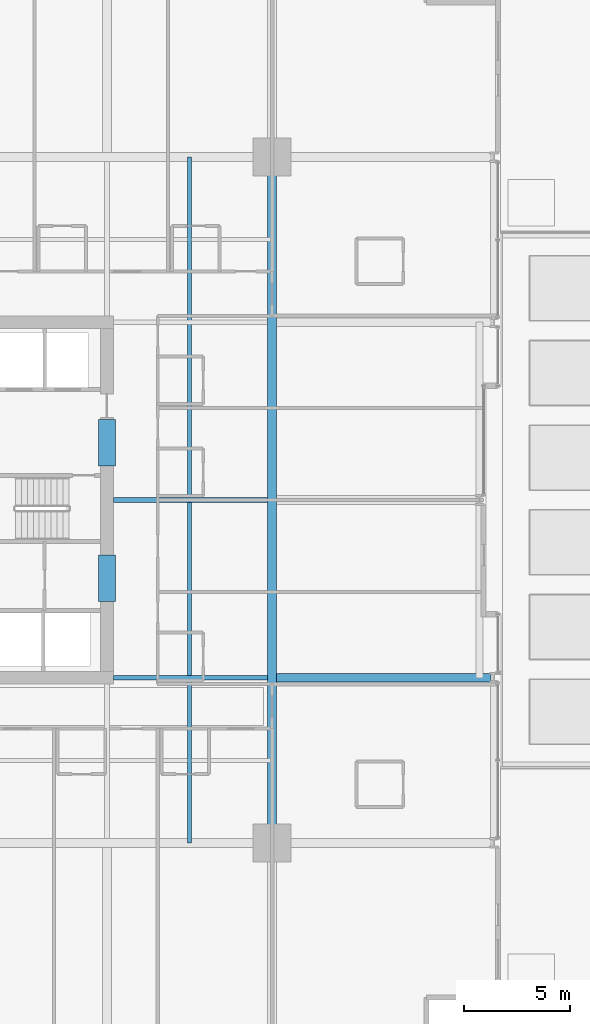
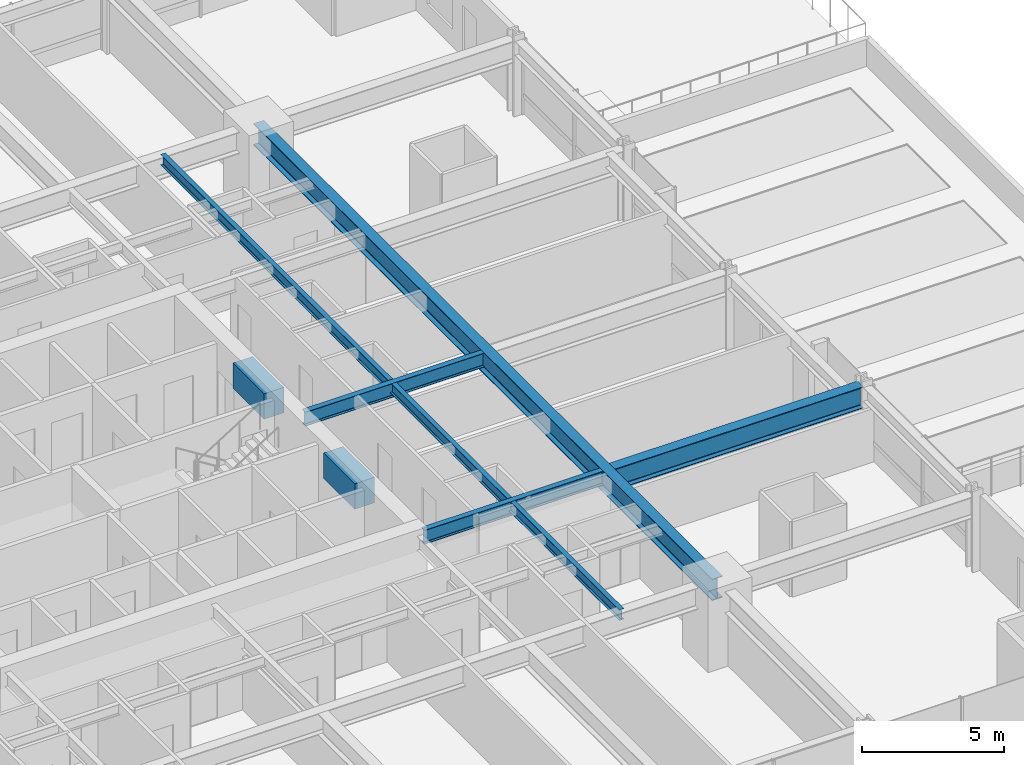
# One storey, part 15 of 42: 7 beams.
"""IFC4 building model written with IfcOpenShell, lengths in metres."""

import ifcopenshell
import ifcopenshell.guid

model = None  # the IFC model being written
_history = None  # IfcOwnerHistory: only IFC2X3 demands one
_inside = {}  # id of a spatial element -> (the spatial element, [elements in it])
_under = {}  # id of a project, library or spatial element -> (it, [spatial elements below it])
_declared = {}  # id of a project -> (the project, [libraries it declares])
_typed = {}  # id of a type object -> (the type object, [elements of that type])
_made_of = {}  # id of a material, layer set ... -> (it, [elements and type objects made of it])


def new_model(schema):
    """Start an empty IFC model of exactly this schema.

    Asked for "IFC4X3", IfcOpenShell would pick the latest addendum, in which some entities
    have other attributes; the version numbers below select the first issue.
    IFC2X3 requires an IfcOwnerHistory on every rooted entity: one is made here for all.
    """
    global model, _history
    if schema == "IFC4X3":
        model = ifcopenshell.file(schema_version=(4, 3, 0, 0))
    else:
        model = ifcopenshell.file(schema=schema)
    _inside.clear()
    _under.clear()
    _declared.clear()
    _typed.clear()
    _made_of.clear()
    _history = None
    if model.schema == "IFC2X3":
        org = make("IfcOrganization", Name="unknown")
        user = make(
            "IfcPersonAndOrganization",
            ThePerson=make("IfcPerson", FamilyName="unknown"),
            TheOrganization=org,
        )
        app = make(
            "IfcApplication",
            ApplicationDeveloper=org,
            Version="unknown",
            ApplicationFullName="unknown",
            ApplicationIdentifier="unknown",
        )
        _history = make(
            "IfcOwnerHistory",
            OwningUser=user,
            OwningApplication=app,
            ChangeAction="ADDED",
            CreationDate=0,
        )
    return model


def make(cls, **values):
    """One entity of the class cls with the attributes given. An attribute that is None is left unset."""
    return model.create_entity(
        cls, **{name: value for name, value in values.items() if value is not None}
    )


def rooted(cls, **values):
    """An entity with a GlobalId (a new one), such as an element, a storey or a relation."""
    return make(cls, GlobalId=ifcopenshell.guid.new(), OwnerHistory=_history, **values)


def si_unit(unit_type, name, prefix=None):
    """IfcSIUnit, for example si_unit("LENGTHUNIT", "METRE", prefix="MILLI")."""
    return make("IfcSIUnit", UnitType=unit_type, Prefix=prefix, Name=name)


def assignment(units):
    """IfcUnitAssignment: the units of a project."""
    return None if units is None else make("IfcUnitAssignment", Units=units)


def point(xyz):
    """IfcCartesianPoint."""
    return None if xyz is None else make("IfcCartesianPoint", Coordinates=xyz)


def direction(xyz):
    """IfcDirection."""
    return None if xyz is None else make("IfcDirection", DirectionRatios=xyz)


def frame(location, z_axis=None, x_axis=None):
    """IfcAxis2Placement3D, a coordinate frame: its origin and axes. An axis left out is left unset."""
    return make(
        "IfcAxis2Placement3D",
        Location=point(location),
        Axis=direction(z_axis),
        RefDirection=direction(x_axis),
    )


def frame_2d(location, x_axis=None):
    """IfcAxis2Placement2D, a coordinate frame in the plane: its origin and x axis."""
    return make(
        "IfcAxis2Placement2D", Location=point(location), RefDirection=direction(x_axis)
    )


def origin():
    """The frame at (0, 0, 0) with its axes left unset."""
    return frame((0.0, 0.0, 0.0))


def origin_2d():
    """The frame at (0, 0) in the plane with its x axis left unset."""
    return frame_2d((0.0, 0.0))


def place(relative_to, where):
    """IfcLocalPlacement: puts the frame where relative to a parent placement (None: the world)."""
    return make(
        "IfcLocalPlacement", PlacementRelTo=relative_to, RelativePlacement=where
    )


def context(
    kind, dimensions, precision=None, world=None, true_north=None, identifier=None
):
    """IfcGeometricRepresentationContext, for example the 3D "Model" context."""
    return make(
        "IfcGeometricRepresentationContext",
        ContextIdentifier=identifier,
        ContextType=kind,
        CoordinateSpaceDimension=dimensions,
        Precision=precision,
        WorldCoordinateSystem=world,
        TrueNorth=true_north,
    )


def subcontext(parent, identifier, kind, view, scale=None):
    """IfcGeometricRepresentationSubContext, for example "Body" below "Model"."""
    return make(
        "IfcGeometricRepresentationSubContext",
        ContextIdentifier=identifier,
        ContextType=kind,
        ParentContext=parent,
        TargetScale=scale,
        TargetView=view,
    )


def project(units=None, contexts=None):
    """IfcProject with its units and contexts."""
    return rooted(
        "IfcProject",
        Name="project",
        RepresentationContexts=contexts,
        UnitsInContext=assignment(units),
    )


def spatial(cls, under=None, at=None, **own):
    """A site, building, storey or space (cls), placed at a placement, below another one or the project."""
    s = rooted(cls, ObjectPlacement=at, **own)
    if under is not None:
        _under.setdefault(under.id(), (under, []))[1].append(s)
    return s


def profile(cls, at=None, kind="AREA", **sizes):
    """A parametric profile (cls). Its sizes go by their IFC names, for example OverallWidth=200.0."""
    return make(cls, ProfileType=kind, Position=at, **sizes)


def rectangle(**sizes):
    """IfcRectangleProfileDef."""
    return profile("IfcRectangleProfileDef", **sizes)


def i_section(**sizes):
    """IfcIShapeProfileDef."""
    return profile("IfcIShapeProfileDef", **sizes)


def extrude(swept, where, along, depth):
    """IfcExtrudedAreaSolid: the profile swept, set in the frame where, extruded along a direction by depth."""
    return make(
        "IfcExtrudedAreaSolid",
        SweptArea=swept,
        Position=where,
        ExtrudedDirection=direction(along),
        Depth=depth,
    )


def shape(context_of_items, identifier, shape_type, items):
    """IfcShapeRepresentation: the items that make up one representation, for example the "Body"."""
    return make(
        "IfcShapeRepresentation",
        ContextOfItems=context_of_items,
        RepresentationIdentifier=identifier,
        RepresentationType=shape_type,
        Items=items,
    )


def material(Name=None, Category=None):
    """IfcMaterial."""
    return make("IfcMaterial", Name=Name, Category=Category)


def material_profile(
    of_material, cross_section, Name=None, Category=None, Priority=None
):
    """IfcMaterialProfile: a cross section and its material."""
    return make(
        "IfcMaterialProfile",
        Name=Name,
        Material=of_material,
        Profile=cross_section,
        Priority=Priority,
        Category=Category,
    )


def profile_set(profiles, Name=None, composite=None):
    """IfcMaterialProfileSet."""
    return make(
        "IfcMaterialProfileSet",
        Name=Name,
        MaterialProfiles=profiles,
        CompositeProfile=composite,
    )


def made_of(thing, what):
    """Note that an element or type object is made of a material, layer set ...; save() writes the relation."""
    if what is not None:
        _made_of.setdefault(what.id(), (what, []))[1].append(thing)
    return thing


def type_object(cls, material=None, **own):
    """A type object (cls), such as IfcWallType, which elements share."""
    return made_of(rooted(cls, **own), material)


def element(
    cls,
    number,
    at=None,
    inside=None,
    cuts=None,
    type_object=None,
    material=None,
    context=None,
    identifier="Body",
    shape_type=None,
    held_by="IfcProductDefinitionShape",
    body=None,
    shapes=None,
    **own,
):
    """One element of the class cls, such as IfcWall. Its Tag is "e" and its number.

    at: its placement. inside: the storey or other place that contains it. cuts: it is an
    opening in that element (IfcRelVoidsElement). A single representation is given by context,
    identifier, shape_type and body (its items); several are given by shapes. held_by: the class
    of the entity that holds the representations. save() writes the other relations.
    """
    e = rooted(cls, Tag="e%d" % number, ObjectPlacement=at, **own)
    if body is not None:
        shapes = [shape(context, identifier, shape_type, body)]
    if shapes is not None:
        e.Representation = make(held_by, Representations=shapes)
    if inside is not None:
        _inside.setdefault(inside.id(), (inside, []))[1].append(e)
    if cuts is not None:
        rooted(
            "IfcRelVoidsElement", RelatingBuildingElement=cuts, RelatedOpeningElement=e
        )
    if type_object is not None:
        _typed.setdefault(type_object.id(), (type_object, []))[1].append(e)
    return made_of(e, material)


def aggregate(whole, parts):
    """IfcRelAggregates: a whole, such as a stair, and the parts it consists of."""
    return rooted("IfcRelAggregates", RelatingObject=whole, RelatedObjects=parts)


def save(model, path):
    """Write the relations noted so far, then the file.

    IfcRelAggregates (storeys below a building ...), IfcRelContainedInSpatialStructure (elements
    in a storey), IfcRelDefinesByType, IfcRelAssociatesMaterial and IfcRelDeclares: one each for
    every whole, place, type object, material and project.
    """
    for whole, parts in _under.values():
        aggregate(whole, parts)
    for where, things in _inside.values():
        rooted(
            "IfcRelContainedInSpatialStructure",
            RelatedElements=things,
            RelatingStructure=where,
        )
    for kind, things in _typed.values():
        rooted("IfcRelDefinesByType", RelatedObjects=things, RelatingType=kind)
    for what, things in _made_of.values():
        rooted("IfcRelAssociatesMaterial", RelatedObjects=things, RelatingMaterial=what)
    for by, libraries in _declared.values():
        rooted("IfcRelDeclares", RelatingContext=by, RelatedDefinitions=libraries)
    model.write(path)


model = new_model("IFC4")

# Units and contexts
model_context = context("Model", 3, precision=1e-05, world=origin(), true_north=direction((0.0, 1.0)))
body_context = subcontext(model_context, "Body", "Model", "MODEL_VIEW")
ifc_project = project(units=[si_unit("LENGTHUNIT", "METRE"), si_unit("AREAUNIT", "SQUARE_METRE"), si_unit("VOLUMEUNIT", "CUBIC_METRE"), si_unit("PLANEANGLEUNIT", "RADIAN"), si_unit("MASSUNIT", "GRAM", prefix="KILO")], contexts=[model_context])

# Site, building, storey
site_placement = place(None, origin())
site = spatial("IfcSite", under=ifc_project, at=site_placement, CompositionType="ELEMENT")
building_placement = place(site_placement, origin())
building = spatial("IfcBuilding", under=site, at=building_placement, Name="Drelvath Grand Hotel", CompositionType="ELEMENT")
storey_placement = place(building_placement, frame((0.0, 0.0, 33.199951171875)))
storey = spatial("IfcBuildingStorey", under=building, at=storey_placement, Name="L06", CompositionType="ELEMENT", Elevation=33.199951171875)

# Beams
ifc_material_1 = material(Name="Steel ASTM A992 Gr 50", Category="steel")
ifc_material_profile_1 = material_profile(ifc_material_1, i_section(OverallWidth=0.19140625, OverallDepth=0.4599609375, WebThickness=0.010009765625, FlangeThickness=0.01611328125, FilletRadius=0.01611328125, at=origin_2d()), Name="W18X55")
ifc_profile_set_1 = profile_set([ifc_material_profile_1], Name="Steel ASTM A992 Gr 50")
beam_type_1 = type_object("IfcBeamType", Name="Composite Floor Joist W18X55", PredefinedType="JOIST", material=ifc_profile_set_1)
beam_1_placement = place(storey_placement, frame((12.300048828125, 10.800048828125, 3.010009765625), z_axis=(0.0, 1.0, 0.0), x_axis=(-1.0, 0.0, 0.0)))
element("IfcBeam", 1, at=beam_1_placement, inside=storey, type_object=beam_type_1, Name="L06 Wing Floor Joist J4", PredefinedType="JOIST", context=body_context, shape_type="SweptSolid", body=[
    extrude(i_section(OverallWidth=0.19140625, OverallDepth=0.4599609375, WebThickness=0.010009765625, FlangeThickness=0.01611328125, FilletRadius=0.01611328125, at=origin_2d()), origin(), (0.0, 0.0, 1.0), 32.39990234375),
])
ifc_material_2 = material(Name="Concrete f'c 70 MPa", Category="concrete")
ifc_material_profile_2 = material_profile(ifc_material_2, rectangle(XDim=0.800048828125, YDim=1.10009765625, at=origin_2d()), Name="CB800X1100")
ifc_profile_set_2 = profile_set([ifc_material_profile_2], Name="Concrete f'c 70 MPa")
beam_type_2 = type_object("IfcBeamType", Name="Core Coupling Lintel CB800X1100", PredefinedType="LINTEL", material=ifc_profile_set_2)
for number, where, z_axis, x_axis, name in (
    (2, (8.39990234375, 22.199951171875, 2.68994140625), (0.0, 1.0, 0.0), (-1.0, 0.0, 0.0), "L06 Core Coupling Lintel ES"),
    (3, (8.39990234375, 28.60009765625, 2.68994140625), (0.0, 1.0, 0.0), (-1.0, 0.0, 0.0), "L06 Core Coupling Lintel EN"),
):
    element("IfcBeam", number, at=place(storey_placement, frame(where, z_axis=z_axis, x_axis=x_axis)), inside=storey, type_object=beam_type_2, Name=name, PredefinedType="LINTEL", context=body_context, shape_type="SweptSolid", body=[
        extrude(rectangle(XDim=0.800048828125, YDim=1.10009765625, at=origin_2d()), origin(), (0.0, 0.0, 1.0), 2.199951171875),
    ])
ifc_material_profile_3 = material_profile(ifc_material_1, i_section(OverallWidth=0.228271484375, OverallDepth=0.607666015625, WebThickness=0.01123046875, FlangeThickness=0.017333984375, FilletRadius=0.02001953125, at=origin_2d()), Name="W24X76")
ifc_profile_set_3 = profile_set([ifc_material_profile_3], Name="Steel ASTM A992 Gr 50")
beam_type_3 = type_object("IfcBeamType", Name="Primary Floor Girder W24X76", PredefinedType="BEAM", material=ifc_profile_set_3)
for number, where, z_axis, x_axis, name in (
    (4, (8.699951171875, 18.60009765625, 2.936279296875), (1.0, 0.0, 0.0), (0.0, 1.0, 0.0), "L06 East Core Tie D"),
    (5, (8.699951171875, 27.0, 2.936279296875), (1.0, 0.0, 0.0), (0.0, 1.0, 0.0), "L06 East Core Tie E"),
):
    element("IfcBeam", number, at=place(storey_placement, frame(where, z_axis=z_axis, x_axis=x_axis)), inside=storey, type_object=beam_type_3, Name=name, PredefinedType="BEAM", context=body_context, shape_type="SweptSolid", body=[
        extrude(i_section(OverallWidth=0.228271484375, OverallDepth=0.607666015625, WebThickness=0.01123046875, FlangeThickness=0.017333984375, FilletRadius=0.02001953125, at=origin_2d()), origin(), (0.0, 0.0, 1.0), 7.290771484375),
    ])
ifc_material_profile_4 = material_profile(ifc_material_1, i_section(OverallWidth=0.418212890625, OverallDepth=0.926513671875, WebThickness=0.019287109375, FlangeThickness=0.031982421875, FilletRadius=0.028076171875, at=origin_2d()), Name="W36X231")
ifc_profile_set_4 = profile_set([ifc_material_profile_4], Name="Steel ASTM A992 Gr 50")
beam_type_4 = type_object("IfcBeamType", Name="Primary Floor Girder W36X231", PredefinedType="BEAM", material=ifc_profile_set_4)
beam_2_placement = place(storey_placement, frame((16.199951171875, 10.800048828125, 2.77685546875), z_axis=(0.0, 1.0, 0.0), x_axis=(-1.0, 0.0, 0.0)))
element("IfcBeam", 6, at=beam_2_placement, inside=storey, type_object=beam_type_4, Name="L06 Mega Ring Girder East", PredefinedType="BEAM", context=body_context, shape_type="SweptSolid", body=[
    extrude(i_section(OverallWidth=0.418212890625, OverallDepth=0.926513671875, WebThickness=0.019287109375, FlangeThickness=0.031982421875, FilletRadius=0.028076171875, at=origin_2d()), origin(), (0.0, 0.0, 1.0), 32.39990234375),
])
beam_3_placement = place(storey_placement, frame((16.4091796875, 18.60009765625, 2.77685546875), z_axis=(1.0, 0.0, 0.0), x_axis=(0.0, 1.0, 0.0)))
element("IfcBeam", 7, at=beam_3_placement, inside=storey, type_object=beam_type_4, Name="L06 East Wing Girder D", PredefinedType="BEAM", context=body_context, shape_type="SweptSolid", body=[
    extrude(i_section(OverallWidth=0.418212890625, OverallDepth=0.926513671875, WebThickness=0.019287109375, FlangeThickness=0.031982421875, FilletRadius=0.028076171875, at=origin_2d()), origin(), (0.0, 0.0, 1.0), 10.130859375),
])

save(model, "model.ifc")
